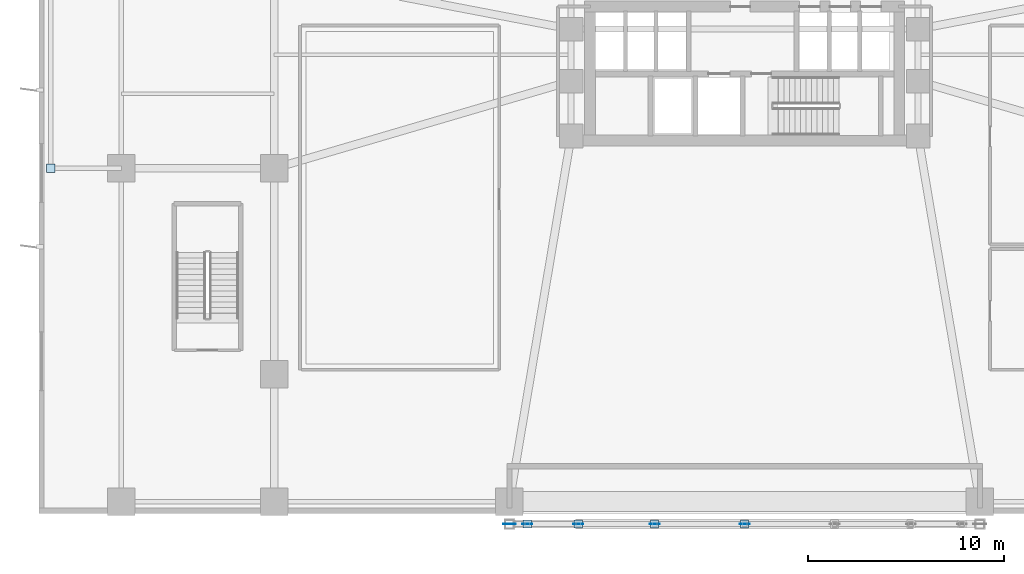
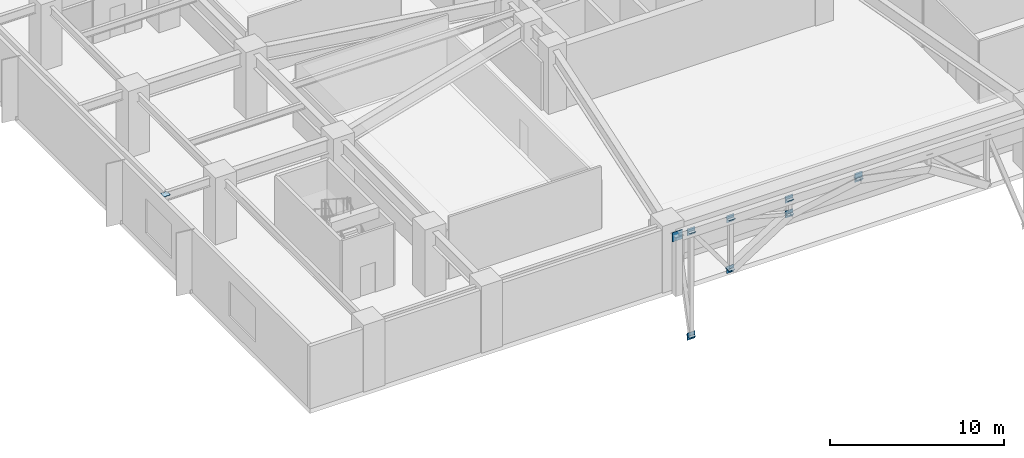
# One storey, part 9 of 21: 17 plates.
"""IFC4 building model written with IfcOpenShell, lengths in metres."""

from ifc_helpers import new_model, si_unit, direction, frame, origin, origin_2d, place, context, subcontext, project, spatial, rectangle, extrude, material, layer, layer_set, type_object, element, save


model = new_model("IFC4")

# Units and contexts
model_context = context("Model", 3, precision=1e-05, world=origin(), true_north=direction((0.0, 1.0)))
body_context = subcontext(model_context, "Body", "Model", "MODEL_VIEW")
ifc_project = project(units=[si_unit("LENGTHUNIT", "METRE"), si_unit("AREAUNIT", "SQUARE_METRE"), si_unit("VOLUMEUNIT", "CUBIC_METRE"), si_unit("PLANEANGLEUNIT", "RADIAN"), si_unit("MASSUNIT", "GRAM", prefix="KILO")], contexts=[model_context])

# Site, building, storey
site_placement = place(None, origin())
site = spatial("IfcSite", under=ifc_project, at=site_placement, CompositionType="ELEMENT")
building_placement = place(site_placement, origin())
building = spatial("IfcBuilding", under=site, at=building_placement, Name="Solmarez Civic Tower", CompositionType="ELEMENT")
storey_placement = place(building_placement, frame((0.0, 0.0, 10.080078125)))
storey = spatial("IfcBuildingStorey", under=building, at=storey_placement, Name="L02", CompositionType="ELEMENT", Elevation=10.080078125)

# Plates
ifc_material = material(Name="Steel S355", Category="steel")
ifc_layer_1 = layer(ifc_material, 0.02392578125)
ifc_layer_set_1 = layer_set([ifc_layer_1], Name="Steel S355")
plate_type_1 = type_object("IfcPlateType", Name="PLT-CAP-380", PredefinedType="USERDEFINED", material=ifc_layer_set_1)
for number, where, z_axis, x_axis, name in (
    (1, (-35.39990234375, -10.0, 4.14794921875), (0.0, 0.0, 1.0), (1.0, 0.0, 0.0), "Steel Member End Cap Plate CAP-BM-L02-TERRW-EDGE-0"),
    (2, (-11.0869140625, -28.14990234375, -3.2529296875), (0.0, 0.0, 1.0), (1.0, 0.0, 0.0), "Steel Member End Cap Plate CAP-ARCH-POST-1-0"),
    (3, (-11.0869140625, -28.14990234375, 4.057861328125), (0.0, 0.0, 1.0), (1.0, 0.0, 0.0), "Steel Member End Cap Plate CAP-ARCH-POST-1-1"),
    (4, (-8.485107421875, -28.14990234375, 0.510009765625), (0.0, 0.0, 1.0), (1.0, 0.0, 0.0), "Steel Member End Cap Plate CAP-ARCH-POST-2-0"),
    (5, (-8.485107421875, -28.14990234375, 4.057861328125), (0.0, 0.0, 1.0), (1.0, 0.0, 0.0), "Steel Member End Cap Plate CAP-ARCH-POST-2-1"),
    (6, (-4.592041015625, -28.14990234375, 3.02490234375), (0.0, 0.0, 1.0), (1.0, 0.0, 0.0), "Steel Member End Cap Plate CAP-ARCH-POST-3-0"),
    (7, (-4.592041015625, -28.14990234375, 4.057861328125), (0.0, 0.0, 1.0), (1.0, 0.0, 0.0), "Steel Member End Cap Plate CAP-ARCH-POST-3-1"),
    (8, (0.0, -28.14990234375, 3.907958984375), (0.0, 0.0, 1.0), (1.0, 0.0, 0.0), "Steel Member End Cap Plate CAP-ARCH-POST-4-0"),
):
    element("IfcPlate", number, at=place(storey_placement, frame(where, z_axis=z_axis, x_axis=x_axis)), inside=storey, type_object=plate_type_1, Name=name, ObjectType="CAP_PLATE", PredefinedType="USERDEFINED", context=body_context, shape_type="SweptSolid", body=[
        extrude(rectangle(XDim=0.419921875, YDim=0.419921875, at=origin_2d()), origin(), (0.0, 0.0, 1.0), 0.02392578125),
    ])
ifc_layer_2 = layer(ifc_material, 0.02490234375)
ifc_layer_set_2 = layer_set([ifc_layer_2], Name="Steel S355")
plate_type_2 = type_object("IfcPlateType", Name="PLT-GUSSET-25", PredefinedType="USERDEFINED", material=ifc_layer_set_2)
for number, where, z_axis, x_axis, name in (
    (9, (-11.0869140625, -28.14990234375, 3.81982421875), (0.0, 0.0, 1.0), (1.0, 0.0, 0.0), "L02 Structural Gusset Plate GUS-ARCH-TOP-1"),
    (10, (-11.0869140625, -28.14990234375, -3.490966796875), (0.0, 0.0, 1.0), (1.0, 0.0, 0.0), "L02 Structural Gusset Plate GUS-ARCH-BOT-1"),
    (11, (-8.485107421875, -28.14990234375, 3.81982421875), (0.0, 0.0, 1.0), (1.0, 0.0, 0.0), "L02 Structural Gusset Plate GUS-ARCH-TOP-2"),
    (12, (-8.485107421875, -28.14990234375, 0.27197265625), (0.0, 0.0, 1.0), (1.0, 0.0, 0.0), "L02 Structural Gusset Plate GUS-ARCH-BOT-2"),
    (13, (-4.592041015625, -28.14990234375, 3.81982421875), (0.0, 0.0, 1.0), (1.0, 0.0, 0.0), "L02 Structural Gusset Plate GUS-ARCH-TOP-3"),
    (14, (-4.592041015625, -28.14990234375, 2.786865234375), (0.0, 0.0, 1.0), (1.0, 0.0, 0.0), "L02 Structural Gusset Plate GUS-ARCH-BOT-3"),
    (15, (0.0, -28.14990234375, 3.81982421875), (0.0, 0.0, 1.0), (1.0, 0.0, 0.0), "L02 Structural Gusset Plate GUS-ARCH-TOP-4"),
    (16, (0.0, -28.14990234375, 3.669921875), (0.0, 0.0, 1.0), (1.0, 0.0, 0.0), "L02 Structural Gusset Plate GUS-ARCH-BOT-4"),
):
    element("IfcPlate", number, at=place(storey_placement, frame(where, z_axis=z_axis, x_axis=x_axis)), inside=storey, type_object=plate_type_2, Name=name, ObjectType="GUSSET_PLATE", PredefinedType="USERDEFINED", context=body_context, shape_type="SweptSolid", body=[
        extrude(rectangle(XDim=0.5, YDim=0.02490234375, at=origin_2d()), origin(), (0.0, 0.0, 1.0), 0.5),
    ])
ifc_layer_3 = layer(ifc_material, 0.031982421875)
ifc_layer_set_3 = layer_set([ifc_layer_3], Name="Steel S355")
plate_type_3 = type_object("IfcPlateType", Name="PLT-GUSSET-32", PredefinedType="USERDEFINED", material=ifc_layer_set_3)
plate_placement = place(storey_placement, frame((-12.0, -28.14990234375, 3.744873046875), z_axis=(0.0, 0.0, 1.0), x_axis=(1.0, 0.0, 0.0)))
element("IfcPlate", 17, at=plate_placement, inside=storey, type_object=plate_type_3, Name="L02 Structural Gusset Plate GUS-ARCH-TIE-W", ObjectType="GUSSET_PLATE", PredefinedType="USERDEFINED", context=body_context, shape_type="SweptSolid", body=[
    extrude(rectangle(XDim=0.64990234375, YDim=0.031982421875, at=origin_2d()), origin(), (0.0, 0.0, 1.0), 0.64990234375),
])

save(model, "model.ifc")
